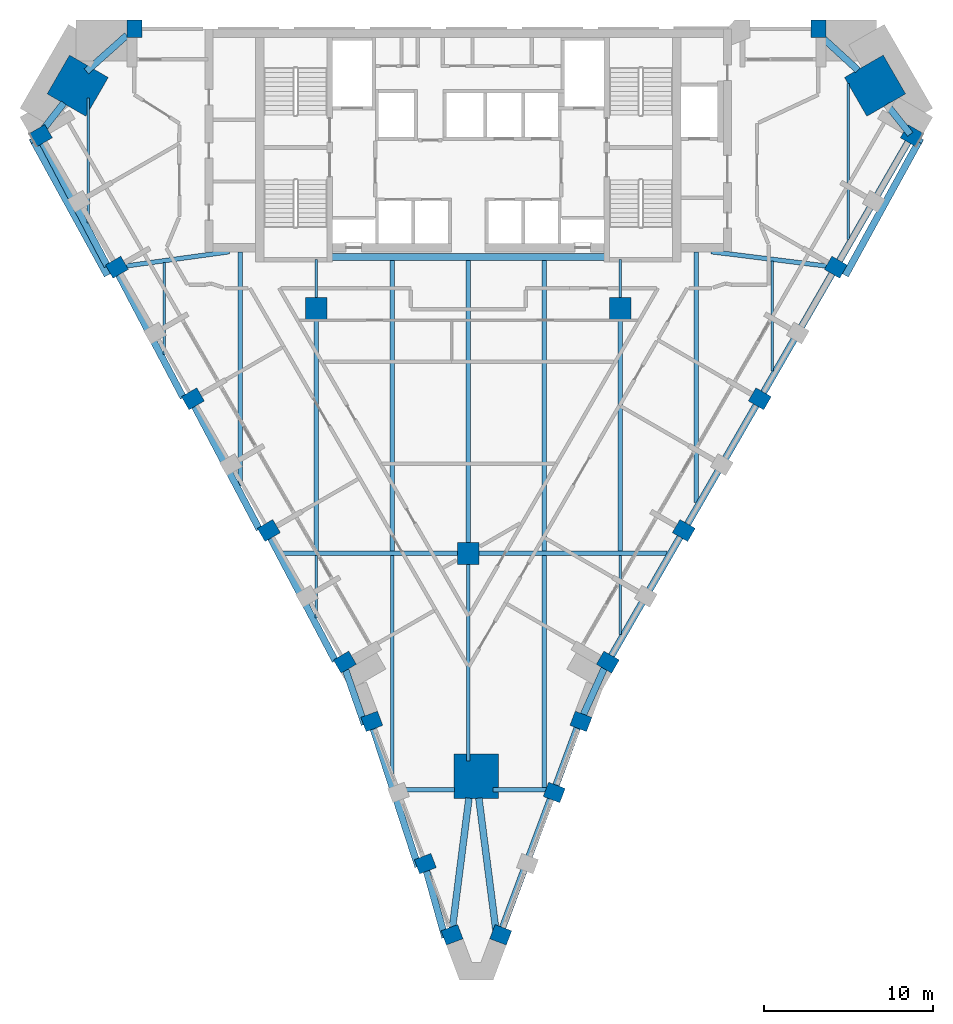
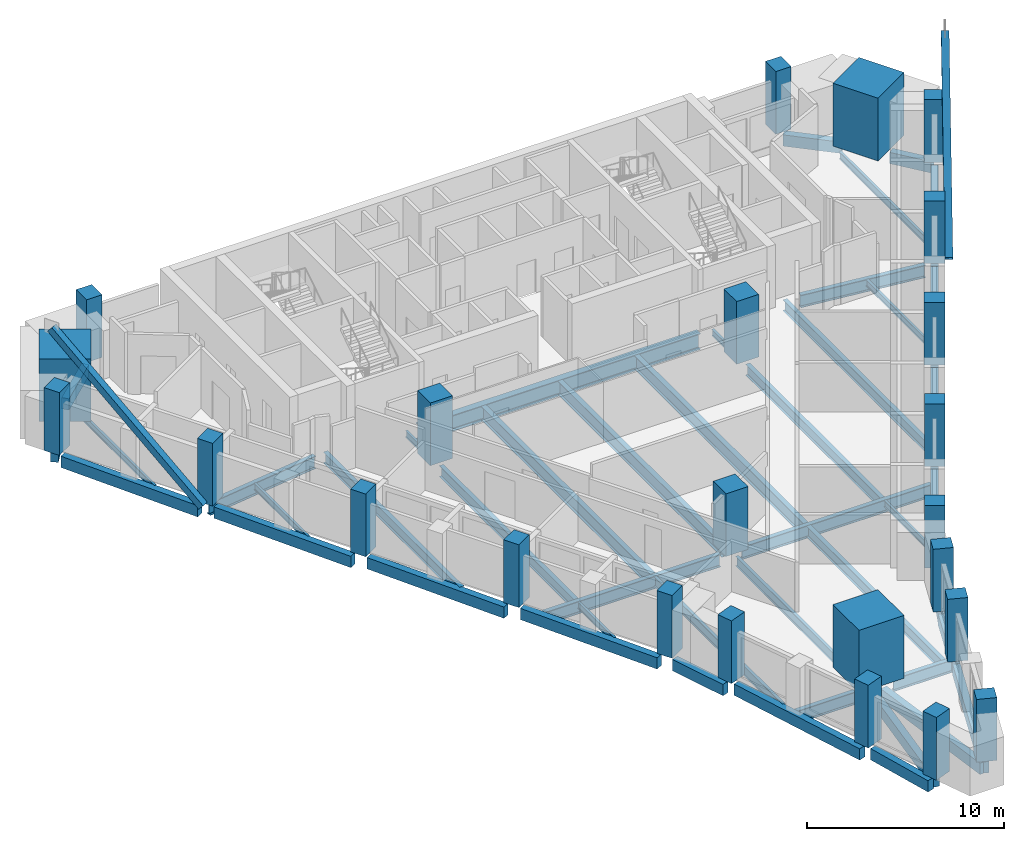
# One storey, part 1 of 9: 45 beams, 24 columns, 2 members.
"""IFC4 building model written with IfcOpenShell, lengths in metres."""

from ifc_helpers import new_model, si_unit, direction, frame, origin, origin_2d, place, context, subcontext, project, spatial, rectangle, hollow_rectangle, i_section, extrude, material, material_profile, profile_set, type_object, element, save


model = new_model("IFC4")

# Units and contexts
model_context = context("Model", 3, precision=1e-05, world=origin(), true_north=direction((0.0, 1.0)))
body_context = subcontext(model_context, "Body", "Model", "MODEL_VIEW")
ifc_project = project(units=[si_unit("LENGTHUNIT", "METRE"), si_unit("AREAUNIT", "SQUARE_METRE"), si_unit("VOLUMEUNIT", "CUBIC_METRE"), si_unit("PLANEANGLEUNIT", "RADIAN"), si_unit("MASSUNIT", "GRAM", prefix="KILO")], contexts=[model_context])

# Site, building, storey
site_placement = place(None, origin())
site = spatial("IfcSite", under=ifc_project, at=site_placement, CompositionType="ELEMENT")
building_placement = place(site_placement, origin())
building = spatial("IfcBuilding", under=site, at=building_placement, Name="Calabash Gate Tower", CompositionType="ELEMENT")
storey_placement = place(building_placement, frame((0.0, 0.0, 168.0)))
storey = spatial("IfcBuildingStorey", under=building, at=storey_placement, Name="L39", CompositionType="ELEMENT", Elevation=168.0)

# Columns
ifc_material_1 = material(Name="Concrete C70/85", Category="concrete")
ifc_material_profile_1 = material_profile(ifc_material_1, rectangle(XDim=1.300048828125, YDim=1.300048828125, at=origin_2d()))
ifc_profile_set_1 = profile_set([ifc_material_profile_1], Name="Concrete C70/85")
column_type_1 = type_object("IfcColumnType", Name="Interior column RC 1300x1300 Concrete C70/85", PredefinedType="COLUMN", material=ifc_profile_set_1)
for number, where, z_axis, x_axis, name in (
    (1, (-9.0, 2.5, 0.0), (0.0, 0.0, 1.0), (1.0, 0.0, 0.0), "Interior column L39 I0"),
    (2, (9.0, 2.5, 0.0), (0.0, 0.0, 1.0), (1.0, 0.0, 0.0), "Interior column L39 I1"),
    (3, (0.0, -12.0, 0.0), (0.0, 0.0, 1.0), (1.0, 0.0, 0.0), "Interior column L39 I2"),
):
    element("IfcColumn", number, at=place(storey_placement, frame(where, z_axis=z_axis, x_axis=x_axis)), inside=storey, type_object=column_type_1, Name=name, PredefinedType="COLUMN", context=body_context, shape_type="SweptSolid", body=[
        extrude(rectangle(XDim=1.300048828125, YDim=1.300048828125, at=origin_2d()), origin(), (0.0, 0.0, 1.0), 3.89990234375),
    ])
ifc_material_2 = material(Name="Concrete C70/85", Category="concrete")
ifc_material_profile_2 = material_profile(ifc_material_2, rectangle(XDim=2.64990234375, YDim=2.64990234375, at=origin_2d()))
ifc_profile_set_2 = profile_set([ifc_material_profile_2], Name="Concrete C70/85")
column_type_2 = type_object("IfcColumnType", Name="Mega column RC 2650x2650 Concrete C70/85", PredefinedType="COLUMN", material=ifc_profile_set_2)
for number, where, z_axis, x_axis, name in (
    (4, (-23.1259765625, 15.68896484375, 0.0), (0.0, 0.0, 1.0), (0.866025386331, -0.50000003023, 0.0), "Mega column L39 NW"),
    (5, (24.0869140625, 15.68896484375, 0.0), (0.0, 0.0, 1.0), (-0.866025386331, -0.50000003023, 0.0), "Mega column L39 NE"),
    (6, (0.47998046875, -25.197998046875, 0.0), (0.0, 0.0, 1.0), (0.0, 1.0, 0.0), "Mega column L39 S"),
):
    element("IfcColumn", number, at=place(storey_placement, frame(where, z_axis=z_axis, x_axis=x_axis)), inside=storey, type_object=column_type_2, Name=name, PredefinedType="COLUMN", context=body_context, shape_type="SweptSolid", body=[
        extrude(rectangle(XDim=2.64990234375, YDim=2.64990234375, at=origin_2d()), origin(), (0.0, 0.0, 1.0), 3.89990234375),
    ])
ifc_material_3 = material(Name="Concrete C60/75", Category="concrete")
ifc_material_profile_3 = material_profile(ifc_material_3, rectangle(XDim=0.89990234375, YDim=1.050048828125, at=origin_2d()))
ifc_profile_set_3 = profile_set([ifc_material_profile_3], Name="Concrete C60/75")
column_type_3 = type_object("IfcColumnType", Name="Perimeter column RC 900x1050 Concrete C60/75", PredefinedType="COLUMN", material=ifc_profile_set_3)
for number, where, z_axis, x_axis, name in (
    (7, (-25.303955078125, 12.73291015625, 0.0), (0.0, 0.0, 1.0), (0.5, -0.866025403784, 0.0), "Perimeter column L39 P20"),
    (8, (-20.803955078125, 4.93896484375, 0.0), (0.0, 0.0, 1.0), (0.5, -0.866025403784, 0.0), "Perimeter column L39 P00"),
    (9, (-16.303955078125, -2.85302734375, 0.0), (0.0, 0.0, 1.0), (0.5, -0.866025403784, 0.0), "Perimeter column L39 P01"),
    (10, (-11.803955078125, -10.64990234375, 0.0), (0.0, 0.0, 1.0), (0.5, -0.866025403784, 0.0), "Perimeter column L39 P02"),
    (11, (-7.303955078125, -18.444091796875, 0.0), (0.0, 0.0, 1.0), (0.5, -0.866025403784, 0.0), "Perimeter column L39 P03"),
    (12, (-5.7119140625, -21.951904296875, 0.0), (0.0, 0.0, 1.0), (0.351822468316, -0.936066744836, 0.0), "Perimeter column L39 P25"),
    (13, (-2.54296875, -30.3759765625, 0.0), (0.0, 0.0, 1.0), (0.351822468316, -0.936066744836, 0.0), "Perimeter column L39 P26"),
    (14, (-0.9619140625, -34.589111328125, 0.0), (0.0, 0.0, 1.0), (0.351822468316, -0.936066744836, 0.0), "Perimeter column L39 P27"),
    (15, (1.9208984375, -34.589111328125, 0.0), (0.0, 0.0, 1.0), (0.351822517328, 0.936066726415, 0.0), "Perimeter column L39 P28"),
    (16, (5.087890625, -26.1640625, 0.0), (0.0, 0.0, 1.0), (0.351822517328, 0.936066726415, 0.0), "Perimeter column L39 P08"),
    (17, (6.6708984375, -21.951904296875, 0.0), (0.0, 0.0, 1.0), (0.351822517328, 0.936066726415, 0.0), "Perimeter column L39 P29"),
    (18, (8.262939453125, -18.444091796875, 0.0), (0.0, 0.0, 1.0), (0.499999984885, 0.866025412511, 0.0), "Perimeter column L39 P09"),
    (19, (12.762939453125, -10.64990234375, 0.0), (0.0, 0.0, 1.0), (0.499999984885, 0.866025412511, 0.0), "Perimeter column L39 P10"),
    (20, (17.262939453125, -2.85302734375, 0.0), (0.0, 0.0, 1.0), (0.499999984885, 0.866025412511, 0.0), "Perimeter column L39 P11"),
    (21, (21.762939453125, 4.93896484375, 0.0), (0.0, 0.0, 1.0), (0.499999984885, 0.866025412511, 0.0), "Perimeter column L39 P12"),
    (22, (26.262939453125, 12.73291015625, 0.0), (0.0, 0.0, 1.0), (0.499999984885, 0.866025412511, 0.0), "Perimeter column L39 P13"),
    (23, (20.72998046875, 19.052978515625, 0.0), (0.0, 0.0, 1.0), (-1.0, 0.0, 0.0), "Perimeter column L39 P24"),
    (24, (-19.77001953125, 19.052978515625, 0.0), (0.0, 0.0, 1.0), (-1.0, 0.0, 0.0), "Perimeter column L39 P17"),
):
    element("IfcColumn", number, at=place(storey_placement, frame(where, z_axis=z_axis, x_axis=x_axis)), inside=storey, type_object=column_type_3, Name=name, PredefinedType="COLUMN", context=body_context, shape_type="SweptSolid", body=[
        extrude(rectangle(XDim=0.89990234375, YDim=1.050048828125, at=origin_2d()), origin(), (0.0, 0.0, 1.0), 3.89990234375),
    ])

# Beams
ifc_material_4 = material(Name="Concrete C50/60", Category="concrete")
ifc_material_profile_4 = material_profile(ifc_material_4, rectangle(XDim=0.39990234375, YDim=0.699951171875, at=origin_2d()))
ifc_profile_set_4 = profile_set([ifc_material_profile_4], Name="Concrete C50/60")
beam_type_1 = type_object("IfcBeamType", Name="Edge beam RC 400x700 Concrete C50/60", PredefinedType="BEAM", material=ifc_profile_set_4)
beam_1_placement = place(storey_placement, frame((-16.208984375, -3.2890625, -0.52001953125), z_axis=(0.465675564473, -0.884955517895, 0.0), x_axis=(0.884955517895, 0.465675564473, 0.0)))
element("IfcBeam", 25, at=beam_1_placement, inside=storey, type_object=beam_type_1, Name="Edge beam L39 1", PredefinedType="BEAM", context=body_context, shape_type="SweptSolid", body=[
    extrude(rectangle(XDim=0.39990234375, YDim=0.699951171875, at=origin_2d()), origin(), (0.0, 0.0, 1.0), 8.2353515625),
])
beam_2_placement = place(storey_placement, frame((-11.708984375, -11.0830078125, -0.52001953125), z_axis=(0.465663347669, -0.884961946435, 0.0), x_axis=(0.884961946435, 0.465663347669, 0.0)))
element("IfcBeam", 26, at=beam_2_placement, inside=storey, type_object=beam_type_1, Name="Edge beam L39 2", PredefinedType="BEAM", context=body_context, shape_type="SweptSolid", body=[
    extrude(rectangle(XDim=0.39990234375, YDim=0.699951171875, at=origin_2d()), origin(), (0.0, 0.0, 1.0), 8.235595703125),
])
beam_3_placement = place(storey_placement, frame((-7.261962890625, -18.909912109375, -0.52001953125), z_axis=(0.328245355314, -0.944592497702, 0.0), x_axis=(0.944592497702, 0.328245355314, 0.0)))
element("IfcBeam", 27, at=beam_3_placement, inside=storey, type_object=beam_type_1, Name="Edge beam L39 3", PredefinedType="BEAM", context=body_context, shape_type="SweptSolid", body=[
    extrude(rectangle(XDim=0.39990234375, YDim=0.699951171875, at=origin_2d()), origin(), (0.0, 0.0, 1.0), 3.40576171875),
])
beam_4_placement = place(storey_placement, frame((-5.62890625, -22.3720703125, -0.52001953125), z_axis=(0.309131657382, -0.951019252384, 0.0), x_axis=(0.951019252384, 0.309131657382, 0.0)))
element("IfcBeam", 28, at=beam_4_placement, inside=storey, type_object=beam_type_1, Name="Edge beam L39 4", PredefinedType="BEAM", context=body_context, shape_type="SweptSolid", body=[
    extrude(rectangle(XDim=0.39990234375, YDim=0.699951171875, at=origin_2d()), origin(), (0.0, 0.0, 1.0), 8.59814453125),
])
beam_5_placement = place(storey_placement, frame((-2.47412109375, -30.81298828125, -0.52001953125), z_axis=(0.269059658347, -0.963123512459, 0.0), x_axis=(0.963123512459, 0.269059658347, 0.0)))
element("IfcBeam", 29, at=beam_5_placement, inside=storey, type_object=beam_type_1, Name="Edge beam L39 5", PredefinedType="BEAM", context=body_context, shape_type="SweptSolid", body=[
    extrude(rectangle(XDim=0.39990234375, YDim=0.699951171875, at=origin_2d()), origin(), (0.0, 0.0, 1.0), 4.081298828125),
])
beam_6_placement = place(storey_placement, frame((-0.990966796875, -34.60205078125, -0.52001953125), z_axis=(0.126376125959, 0.99198239641, 0.0), x_axis=(-0.99198239641, 0.126376125959, 0.0)))
element("IfcBeam", 30, at=beam_6_placement, inside=storey, type_object=beam_type_1, Name="Edge beam L39 6", PredefinedType="BEAM", context=body_context, shape_type="SweptSolid", body=[
    extrude(rectangle(XDim=0.39990234375, YDim=0.699951171875, at=origin_2d()), origin(), (0.0, 0.0, 1.0), 8.173583984375),
])
beam_7_placement = place(storey_placement, frame((0.626953125, -26.492919921875, -0.52001953125), z_axis=(0.127868304921, -0.991791155736, 0.0), x_axis=(0.991791155736, 0.127868304921, 0.0)))
element("IfcBeam", 31, at=beam_7_placement, inside=storey, type_object=beam_type_1, Name="Edge beam L39 7", PredefinedType="BEAM", context=body_context, shape_type="SweptSolid", body=[
    extrude(rectangle(XDim=0.39990234375, YDim=0.699951171875, at=origin_2d()), origin(), (0.0, 0.0, 1.0), 8.345703125),
])
beam_8_placement = place(storey_placement, frame((1.7939453125, -34.799072265625, -0.52001953125), z_axis=(0.349546583338, 0.936918985866, 0.0), x_axis=(-0.936918985866, 0.349546583338, 0.0)))
element("IfcBeam", 32, at=beam_8_placement, inside=storey, type_object=beam_type_1, Name="Edge beam L39 8", PredefinedType="BEAM", context=body_context, shape_type="SweptSolid", body=[
    extrude(rectangle(XDim=0.39990234375, YDim=0.699951171875, at=origin_2d()), origin(), (0.0, 0.0, 1.0), 8.808837890625),
])
beam_9_placement = place(storey_placement, frame((4.9609375, -26.373046875, -0.52001953125), z_axis=(0.34714449754, 0.937811653707, 0.0), x_axis=(-0.937811653707, 0.34714449754, 0.0)))
element("IfcBeam", 33, at=beam_9_placement, inside=storey, type_object=beam_type_1, Name="Edge beam L39 9", PredefinedType="BEAM", context=body_context, shape_type="SweptSolid", body=[
    extrude(rectangle(XDim=0.39990234375, YDim=0.699951171875, at=origin_2d()), origin(), (0.0, 0.0, 1.0), 4.306884765625),
])
beam_10_placement = place(storey_placement, frame((6.5419921875, -22.1708984375, -0.52001953125), z_axis=(0.410262361103, 0.911967540575, 0.0), x_axis=(-0.911967540575, 0.410262361103, 0.0)))
element("IfcBeam", 34, at=beam_10_placement, inside=storey, type_object=beam_type_1, Name="Edge beam L39 10", PredefinedType="BEAM", context=body_context, shape_type="SweptSolid", body=[
    extrude(rectangle(XDim=0.39990234375, YDim=0.699951171875, at=origin_2d()), origin(), (0.0, 0.0, 1.0), 3.671142578125),
])
beam_11_placement = place(storey_placement, frame((8.27197265625, -18.427978515625, -0.52001953125), z_axis=(0.500197168152, 0.865911538768, 0.0), x_axis=(-0.865911538768, 0.500197168152, 0.0)))
element("IfcBeam", 35, at=beam_11_placement, inside=storey, type_object=beam_type_1, Name="Edge beam L39 11", PredefinedType="BEAM", context=body_context, shape_type="SweptSolid", body=[
    extrude(rectangle(XDim=0.39990234375, YDim=0.699951171875, at=origin_2d()), origin(), (0.0, 0.0, 1.0), 8.546875),
])
for number, where, z_axis, x_axis, name in (
    (36, (12.77197265625, -10.634033203125, -0.52001953125), (0.500135313796, 0.865947266232, 0.0), (-0.865947266232, 0.500135313796, 0.0), "Edge beam L39 12"),
    (37, (17.27197265625, -2.840087890625, -0.52001953125), (0.500135313796, 0.865947266232, 0.0), (-0.865947266232, 0.500135313796, 0.0), "Edge beam L39 13"),
):
    element("IfcBeam", number, at=place(storey_placement, frame(where, z_axis=z_axis, x_axis=x_axis)), inside=storey, type_object=beam_type_1, Name=name, PredefinedType="BEAM", context=body_context, shape_type="SweptSolid", body=[
        extrude(rectangle(XDim=0.39990234375, YDim=0.699951171875, at=origin_2d()), origin(), (0.0, 0.0, 1.0), 8.548095703125),
    ])
beam_12_placement = place(storey_placement, frame((21.77197265625, 4.95703125, -0.52001953125), z_axis=(0.50029616164, 0.865854347248, 0.0), x_axis=(-0.865854347248, 0.50029616164, 0.0)))
element("IfcBeam", 38, at=beam_12_placement, inside=storey, type_object=beam_type_1, Name="Edge beam L39 14", PredefinedType="BEAM", context=body_context, shape_type="SweptSolid", body=[
    extrude(rectangle(XDim=0.39990234375, YDim=0.699951171875, at=origin_2d()), origin(), (0.0, 0.0, 1.0), 8.545166015625),
])
beam_13_placement = place(storey_placement, frame((26.176025390625, 12.81103515625, -0.52001953125), z_axis=(-0.620961056093, 0.78384141688, 0.0), x_axis=(-0.78384141688, -0.620961056093, 0.0)))
element("IfcBeam", 39, at=beam_13_placement, inside=storey, type_object=beam_type_1, Name="Edge beam L39 15", PredefinedType="BEAM", context=body_context, shape_type="SweptSolid", body=[
    extrude(rectangle(XDim=0.39990234375, YDim=0.699951171875, at=origin_2d()), origin(), (0.0, 0.0, 1.0), 2.2529296875),
])
beam_14_placement = place(storey_placement, frame((23.073974609375, 16.60595703125, -0.52001953125), z_axis=(-0.737193931514, 0.675681217246, 0.0), x_axis=(-0.675681217246, -0.737193931514, 0.0)))
element("IfcBeam", 40, at=beam_14_placement, inside=storey, type_object=beam_type_1, Name="Edge beam L39 16", PredefinedType="BEAM", context=body_context, shape_type="SweptSolid", body=[
    extrude(rectangle(XDim=0.39990234375, YDim=0.699951171875, at=origin_2d()), origin(), (0.0, 0.0, 1.0), 3.05615234375),
])
beam_15_placement = place(storey_placement, frame((-20.2109375, 18.677001953125, -0.52001953125), z_axis=(-0.746361655532, -0.665540591664, 0.0), x_axis=(0.665540591664, -0.746361655532, 0.0)))
element("IfcBeam", 41, at=beam_15_placement, inside=storey, type_object=beam_type_1, Name="Edge beam L39 17", PredefinedType="BEAM", context=body_context, shape_type="SweptSolid", body=[
    extrude(rectangle(XDim=0.39990234375, YDim=0.699951171875, at=origin_2d()), origin(), (0.0, 0.0, 1.0), 3.217041015625),
])
beam_16_placement = place(storey_placement, frame((-23.947021484375, 14.6689453125, -0.52001953125), z_axis=(-0.615372333956, -0.788236570201, 0.0), x_axis=(0.788236570201, -0.615372333956, 0.0)))
element("IfcBeam", 42, at=beam_16_placement, inside=storey, type_object=beam_type_1, Name="Edge beam L39 18", PredefinedType="BEAM", context=body_context, shape_type="SweptSolid", body=[
    extrude(rectangle(XDim=0.39990234375, YDim=0.699951171875, at=origin_2d()), origin(), (0.0, 0.0, 1.0), 2.406494140625),
])
beam_17_placement = place(storey_placement, frame((-25.208984375, 12.299072265625, -0.52001953125), z_axis=(0.465663347669, -0.884961946435, 0.0), x_axis=(0.884961946435, 0.465663347669, 0.0)))
element("IfcBeam", 43, at=beam_17_placement, inside=storey, type_object=beam_type_1, Name="Edge beam L39 19", PredefinedType="BEAM", context=body_context, shape_type="SweptSolid", body=[
    extrude(rectangle(XDim=0.39990234375, YDim=0.699951171875, at=origin_2d()), origin(), (0.0, 0.0, 1.0), 8.235595703125),
])
beam_18_placement = place(storey_placement, frame((-20.708984375, 4.507080078125, -0.52001953125), z_axis=(0.465565633109, -0.885013356547, 0.0), x_axis=(0.885013356547, 0.465565633109, 0.0)))
element("IfcBeam", 44, at=beam_18_placement, inside=storey, type_object=beam_type_1, Name="Edge beam L39 20", PredefinedType="BEAM", context=body_context, shape_type="SweptSolid", body=[
    extrude(rectangle(XDim=0.39990234375, YDim=0.699951171875, at=origin_2d()), origin(), (0.0, 0.0, 1.0), 8.2373046875),
])
ifc_material_5 = material(Name="Steel ASTM A992 Gr50", Category="steel")
ifc_material_profile_5 = material_profile(ifc_material_5, i_section(OverallWidth=0.1396484375, OverallDepth=0.398681640625, WebThickness=0.00634765625, FlangeThickness=0.0087890625, FilletRadius=0.01025390625, at=origin_2d()))
ifc_profile_set_5 = profile_set([ifc_material_profile_5], Name="Steel ASTM A992 Gr50")
beam_type_2 = type_object("IfcBeamType", Name="Floor beam W16x26 ASTM A992 Gr50", PredefinedType="BEAM", material=ifc_profile_set_5)
beam_19_placement = place(storey_placement, frame((-22.5, 7.56689453125, -0.368896484375), z_axis=(0.0, 1.0, 0.0), x_axis=(-1.0, 0.0, 0.0)))
element("IfcBeam", 45, at=beam_19_placement, inside=storey, type_object=beam_type_2, Name="Floor beam L39 1", PredefinedType="BEAM", context=body_context, shape_type="SweptSolid", body=[
    extrude(i_section(OverallWidth=0.1396484375, OverallDepth=0.398681640625, WebThickness=0.00634765625, FlangeThickness=0.0087890625, FilletRadius=0.01025390625, at=origin_2d()), origin(), (0.0, 0.0, 1.0), 7.39013671875),
])
beam_20_placement = place(storey_placement, frame((-18.0, -0.22900390625, -0.368896484375), z_axis=(0.0, 1.0, 0.0), x_axis=(-1.0, 0.0, 0.0)))
element("IfcBeam", 46, at=beam_20_placement, inside=storey, type_object=beam_type_2, Name="Floor beam L39 2", PredefinedType="BEAM", context=body_context, shape_type="SweptSolid", body=[
    extrude(i_section(OverallWidth=0.1396484375, OverallDepth=0.398681640625, WebThickness=0.00634765625, FlangeThickness=0.0087890625, FilletRadius=0.01025390625, at=origin_2d()), origin(), (0.0, 0.0, 1.0), 5.44189453125),
])
beam_21_placement = place(storey_placement, frame((-9.0, -15.818115234375, -0.368896484375), z_axis=(0.0, 1.0, 0.0), x_axis=(-1.0, 0.0, 0.0)))
element("IfcBeam", 47, at=beam_21_placement, inside=storey, type_object=beam_type_2, Name="Floor beam L39 4", PredefinedType="BEAM", context=body_context, shape_type="SweptSolid", body=[
    extrude(i_section(OverallWidth=0.1396484375, OverallDepth=0.398681640625, WebThickness=0.00634765625, FlangeThickness=0.0087890625, FilletRadius=0.01025390625, at=origin_2d()), origin(), (0.0, 0.0, 1.0), 3.68505859375),
])
beam_22_placement = place(storey_placement, frame((-9.0, 3.14990234375, -0.368896484375), z_axis=(0.0, 1.0, 0.0), x_axis=(-1.0, 0.0, 0.0)))
element("IfcBeam", 48, at=beam_22_placement, inside=storey, type_object=beam_type_2, Name="Floor beam L39 6", PredefinedType="BEAM", context=body_context, shape_type="SweptSolid", body=[
    extrude(i_section(OverallWidth=0.1396484375, OverallDepth=0.398681640625, WebThickness=0.00634765625, FlangeThickness=0.0087890625, FilletRadius=0.01025390625, at=origin_2d()), origin(), (0.0, 0.0, 1.0), 2.253173828125),
])
beam_23_placement = place(storey_placement, frame((9.0, -16.799072265625, -0.368896484375), z_axis=(0.0, 1.0, 0.0), x_axis=(-1.0, 0.0, 0.0)))
element("IfcBeam", 49, at=beam_23_placement, inside=storey, type_object=beam_type_2, Name="Floor beam L39 13", PredefinedType="BEAM", context=body_context, shape_type="SweptSolid", body=[
    extrude(i_section(OverallWidth=0.1396484375, OverallDepth=0.398681640625, WebThickness=0.00634765625, FlangeThickness=0.0087890625, FilletRadius=0.01025390625, at=origin_2d()), origin(), (0.0, 0.0, 1.0), 4.666015625),
])
beam_24_placement = place(storey_placement, frame((9.0, 3.14990234375, -0.368896484375), z_axis=(0.0, 1.0, 0.0), x_axis=(-1.0, 0.0, 0.0)))
element("IfcBeam", 50, at=beam_24_placement, inside=storey, type_object=beam_type_2, Name="Floor beam L39 15", PredefinedType="BEAM", context=body_context, shape_type="SweptSolid", body=[
    extrude(i_section(OverallWidth=0.1396484375, OverallDepth=0.398681640625, WebThickness=0.00634765625, FlangeThickness=0.0087890625, FilletRadius=0.01025390625, at=origin_2d()), origin(), (0.0, 0.0, 1.0), 2.253173828125),
])
beam_25_placement = place(storey_placement, frame((18.0, -1.2109375, -0.368896484375), z_axis=(0.0, 1.0, 0.0), x_axis=(-1.0, 0.0, 0.0)))
element("IfcBeam", 51, at=beam_25_placement, inside=storey, type_object=beam_type_2, Name="Floor beam L39 17", PredefinedType="BEAM", context=body_context, shape_type="SweptSolid", body=[
    extrude(i_section(OverallWidth=0.1396484375, OverallDepth=0.398681640625, WebThickness=0.00634765625, FlangeThickness=0.0087890625, FilletRadius=0.01025390625, at=origin_2d()), origin(), (0.0, 0.0, 1.0), 6.5048828125),
])
ifc_material_6 = material(Name="Steel ASTM A992 Gr50", Category="steel")
ifc_material_profile_6 = material_profile(ifc_material_6, i_section(OverallWidth=0.15234375, OverallDepth=0.44970703125, WebThickness=0.007568359375, FlangeThickness=0.0107421875, FilletRadius=0.01025390625, at=origin_2d()))
ifc_profile_set_6 = profile_set([ifc_material_profile_6], Name="Steel ASTM A992 Gr50")
beam_type_3 = type_object("IfcBeamType", Name="Floor beam W18x35 ASTM A992 Gr50", PredefinedType="BEAM", material=ifc_profile_set_6)
beam_26_placement = place(storey_placement, frame((22.5, 6.5830078125, -0.39306640625), z_axis=(0.0, 1.0, 0.0), x_axis=(-1.0, 0.0, 0.0)))
element("IfcBeam", 52, at=beam_26_placement, inside=storey, type_object=beam_type_3, Name="Floor beam L39 18", PredefinedType="BEAM", context=body_context, shape_type="SweptSolid", body=[
    extrude(i_section(OverallWidth=0.15234375, OverallDepth=0.44970703125, WebThickness=0.007568359375, FlangeThickness=0.0107421875, FilletRadius=0.01025390625, at=origin_2d()), origin(), (0.0, 0.0, 1.0), 9.22900390625),
])
ifc_material_7 = material(Name="Steel ASTM A992 Gr50", Category="steel")
ifc_material_profile_7 = material_profile(ifc_material_7, i_section(OverallWidth=0.1787109375, OverallDepth=0.60205078125, WebThickness=0.010986328125, FlangeThickness=0.014892578125, FilletRadius=0.0126953125, at=origin_2d()))
ifc_profile_set_7 = profile_set([ifc_material_profile_7], Name="Steel ASTM A992 Gr50")
beam_type_4 = type_object("IfcBeamType", Name="Floor beam W24x62 ASTM A992 Gr50", PredefinedType="BEAM", material=ifc_profile_set_7)
beam_27_placement = place(storey_placement, frame((-4.5, -25.2109375, -0.470947265625), z_axis=(0.0, 1.0, 0.0), x_axis=(-1.0, 0.0, 0.0)))
element("IfcBeam", 53, at=beam_27_placement, inside=storey, type_object=beam_type_4, Name="Floor beam L39 7", PredefinedType="BEAM", context=body_context, shape_type="SweptSolid", body=[
    extrude(i_section(OverallWidth=0.1787109375, OverallDepth=0.60205078125, WebThickness=0.010986328125, FlangeThickness=0.014892578125, FilletRadius=0.0126953125, at=origin_2d()), origin(), (0.0, 0.0, 1.0), 13.077880859375),
])
beam_28_placement = place(storey_placement, frame((0.0, -24.302978515625, -0.470947265625), z_axis=(0.0, 1.0, 0.0), x_axis=(-1.0, 0.0, 0.0)))
element("IfcBeam", 54, at=beam_28_placement, inside=storey, type_object=beam_type_4, Name="Floor beam L39 9", PredefinedType="BEAM", context=body_context, shape_type="SweptSolid", body=[
    extrude(i_section(OverallWidth=0.1787109375, OverallDepth=0.60205078125, WebThickness=0.010986328125, FlangeThickness=0.014892578125, FilletRadius=0.0126953125, at=origin_2d()), origin(), (0.0, 0.0, 1.0), 11.653076171875),
])
ifc_material_8 = material(Name="Steel ASTM A992 Gr50", Category="steel")
ifc_material_profile_8 = material_profile(ifc_material_8, i_section(OverallWidth=0.25390625, OverallDepth=0.67822265625, WebThickness=0.01171875, FlangeThickness=0.016357421875, FilletRadius=0.01513671875, at=origin_2d()))
ifc_profile_set_8 = profile_set([ifc_material_profile_8], Name="Steel ASTM A992 Gr50")
beam_type_5 = type_object("IfcBeamType", Name="Floor beam W27x84 ASTM A992 Gr50", PredefinedType="BEAM", material=ifc_profile_set_8)
beam_29_placement = place(storey_placement, frame((-13.5, -8.02294921875, -0.509033203125), z_axis=(0.0, 1.0, 0.0), x_axis=(-1.0, 0.0, 0.0)))
element("IfcBeam", 55, at=beam_29_placement, inside=storey, type_object=beam_type_5, Name="Floor beam L39 3", PredefinedType="BEAM", context=body_context, shape_type="SweptSolid", body=[
    extrude(i_section(OverallWidth=0.25390625, OverallDepth=0.67822265625, WebThickness=0.01171875, FlangeThickness=0.016357421875, FilletRadius=0.01513671875, at=origin_2d()), origin(), (0.0, 0.0, 1.0), 13.8759765625),
])
beam_30_placement = place(storey_placement, frame((-9.0, -11.866943359375, -0.509033203125), z_axis=(0.0, 1.0, 0.0), x_axis=(-1.0, 0.0, 0.0)))
element("IfcBeam", 56, at=beam_30_placement, inside=storey, type_object=beam_type_5, Name="Floor beam L39 5", PredefinedType="BEAM", context=body_context, shape_type="SweptSolid", body=[
    extrude(i_section(OverallWidth=0.25390625, OverallDepth=0.67822265625, WebThickness=0.01171875, FlangeThickness=0.016357421875, FilletRadius=0.01513671875, at=origin_2d()), origin(), (0.0, 0.0, 1.0), 13.717041015625),
])
beam_31_placement = place(storey_placement, frame((4.5, -25.89892578125, -0.509033203125), z_axis=(0.0, 1.0, 0.0), x_axis=(-1.0, 0.0, 0.0)))
element("IfcBeam", 57, at=beam_31_placement, inside=storey, type_object=beam_type_5, Name="Floor beam L39 11", PredefinedType="BEAM", context=body_context, shape_type="SweptSolid", body=[
    extrude(i_section(OverallWidth=0.25390625, OverallDepth=0.67822265625, WebThickness=0.01171875, FlangeThickness=0.016357421875, FilletRadius=0.01513671875, at=origin_2d()), origin(), (0.0, 0.0, 1.0), 13.765869140625),
])
beam_32_placement = place(storey_placement, frame((9.0, -11.866943359375, -0.509033203125), z_axis=(0.0, 1.0, 0.0), x_axis=(-1.0, 0.0, 0.0)))
element("IfcBeam", 58, at=beam_32_placement, inside=storey, type_object=beam_type_5, Name="Floor beam L39 14", PredefinedType="BEAM", context=body_context, shape_type="SweptSolid", body=[
    extrude(i_section(OverallWidth=0.25390625, OverallDepth=0.67822265625, WebThickness=0.01171875, FlangeThickness=0.016357421875, FilletRadius=0.01513671875, at=origin_2d()), origin(), (0.0, 0.0, 1.0), 13.717041015625),
])
beam_33_placement = place(storey_placement, frame((13.5, -9.0029296875, -0.509033203125), z_axis=(0.0, 1.0, 0.0), x_axis=(-1.0, 0.0, 0.0)))
element("IfcBeam", 59, at=beam_33_placement, inside=storey, type_object=beam_type_5, Name="Floor beam L39 16", PredefinedType="BEAM", context=body_context, shape_type="SweptSolid", body=[
    extrude(i_section(OverallWidth=0.25390625, OverallDepth=0.67822265625, WebThickness=0.01171875, FlangeThickness=0.016357421875, FilletRadius=0.01513671875, at=origin_2d()), origin(), (0.0, 0.0, 1.0), 14.85595703125),
])
ifc_material_9 = material(Name="Steel ASTM A992 Gr50", Category="steel")
ifc_material_profile_9 = material_profile(ifc_material_9, i_section(OverallWidth=0.2919921875, OverallDepth=0.845703125, WebThickness=0.015380859375, FlangeThickness=0.0244140625, FilletRadius=0.017822265625, at=origin_2d()))
ifc_profile_set_9 = profile_set([ifc_material_profile_9], Name="Steel ASTM A992 Gr50")
beam_type_6 = type_object("IfcBeamType", Name="Floor beam W33x141 ASTM A992 Gr50", PredefinedType="BEAM", material=ifc_profile_set_9)
beam_34_placement = place(storey_placement, frame((-4.5, -11.866943359375, -0.593017578125), z_axis=(0.0, 1.0, 0.0), x_axis=(-1.0, 0.0, 0.0)))
element("IfcBeam", 60, at=beam_34_placement, inside=storey, type_object=beam_type_6, Name="Floor beam L39 8", PredefinedType="BEAM", context=body_context, shape_type="SweptSolid", body=[
    extrude(i_section(OverallWidth=0.2919921875, OverallDepth=0.845703125, WebThickness=0.015380859375, FlangeThickness=0.0244140625, FilletRadius=0.017822265625, at=origin_2d()), origin(), (0.0, 0.0, 1.0), 17.218994140625),
])
beam_35_placement = place(storey_placement, frame((0.0, -11.35009765625, -0.593017578125), z_axis=(0.0, 1.0, 0.0), x_axis=(-1.0, 0.0, 0.0)))
element("IfcBeam", 61, at=beam_35_placement, inside=storey, type_object=beam_type_6, Name="Floor beam L39 10", PredefinedType="BEAM", context=body_context, shape_type="SweptSolid", body=[
    extrude(i_section(OverallWidth=0.2919921875, OverallDepth=0.845703125, WebThickness=0.015380859375, FlangeThickness=0.0244140625, FilletRadius=0.017822265625, at=origin_2d()), origin(), (0.0, 0.0, 1.0), 16.7021484375),
])
beam_36_placement = place(storey_placement, frame((4.5, -11.866943359375, -0.593017578125), z_axis=(0.0, 1.0, 0.0), x_axis=(-1.0, 0.0, 0.0)))
element("IfcBeam", 62, at=beam_36_placement, inside=storey, type_object=beam_type_6, Name="Floor beam L39 12", PredefinedType="BEAM", context=body_context, shape_type="SweptSolid", body=[
    extrude(i_section(OverallWidth=0.2919921875, OverallDepth=0.845703125, WebThickness=0.015380859375, FlangeThickness=0.0244140625, FilletRadius=0.017822265625, at=origin_2d()), origin(), (0.0, 0.0, 1.0), 17.218994140625),
])
ifc_material_10 = material(Name="Steel ASTM A992 Gr50", Category="steel")
ifc_material_profile_10 = material_profile(ifc_material_10, i_section(OverallWidth=0.2666015625, OverallDepth=0.77978515625, WebThickness=0.0166015625, FlangeThickness=0.030029296875, FilletRadius=0.0166015625, at=origin_2d()))
ifc_profile_set_10 = profile_set([ifc_material_profile_10], Name="Steel ASTM A992 Gr50")
beam_type_7 = type_object("IfcBeamType", Name="Girder W30x148 ASTM A992 Gr50", PredefinedType="BEAM", material=ifc_profile_set_10)
beam_37_placement = place(storey_placement, frame((-20.887939453125, 4.927001953125, -0.56005859375), z_axis=(0.990618279265, 0.136658057886, 0.0), x_axis=(-0.136658057886, 0.990618279265, 0.0)))
element("IfcBeam", 63, at=beam_37_placement, inside=storey, type_object=beam_type_7, Name="Girder L39 2", PredefinedType="BEAM", context=body_context, shape_type="SweptSolid", body=[
    extrude(i_section(OverallWidth=0.2666015625, OverallDepth=0.77978515625, WebThickness=0.0166015625, FlangeThickness=0.030029296875, FilletRadius=0.0166015625, at=origin_2d()), origin(), (0.0, 0.0, 1.0), 6.797607421875),
])
beam_38_placement = place(storey_placement, frame((21.218994140625, 5.007080078125, -0.56005859375), z_axis=(-0.992362690963, 0.123354325355, 0.0), x_axis=(-0.123354325355, -0.992362690963, 0.0)))
element("IfcBeam", 64, at=beam_38_placement, inside=storey, type_object=beam_type_7, Name="Girder L39 3", PredefinedType="BEAM", context=body_context, shape_type="SweptSolid", body=[
    extrude(i_section(OverallWidth=0.2666015625, OverallDepth=0.77978515625, WebThickness=0.0166015625, FlangeThickness=0.030029296875, FilletRadius=0.0166015625, at=origin_2d()), origin(), (0.0, 0.0, 1.0), 6.8896484375),
])
beam_39_placement = place(storey_placement, frame((-11.013916015625, -12.0, -0.56005859375), z_axis=(1.0, 0.0, 0.0), x_axis=(0.0, 1.0, 0.0)))
element("IfcBeam", 65, at=beam_39_placement, inside=storey, type_object=beam_type_7, Name="Girder L39 4", PredefinedType="BEAM", context=body_context, shape_type="SweptSolid", body=[
    extrude(i_section(OverallWidth=0.2666015625, OverallDepth=0.77978515625, WebThickness=0.0166015625, FlangeThickness=0.030029296875, FilletRadius=0.0166015625, at=origin_2d()), origin(), (0.0, 0.0, 1.0), 10.364013671875),
])
beam_40_placement = place(storey_placement, frame((0.64990234375, -12.0, -0.56005859375), z_axis=(1.0, 0.0, 0.0), x_axis=(0.0, 1.0, 0.0)))
element("IfcBeam", 66, at=beam_40_placement, inside=storey, type_object=beam_type_7, Name="Girder L39 5", PredefinedType="BEAM", context=body_context, shape_type="SweptSolid", body=[
    extrude(i_section(OverallWidth=0.2666015625, OverallDepth=0.77978515625, WebThickness=0.0166015625, FlangeThickness=0.030029296875, FilletRadius=0.0166015625, at=origin_2d()), origin(), (0.0, 0.0, 1.0), 11.123046875),
])
beam_41_placement = place(storey_placement, frame((-4.2529296875, -26.0, -0.56005859375), z_axis=(1.0, 0.0, 0.0), x_axis=(0.0, 1.0, 0.0)))
element("IfcBeam", 67, at=beam_41_placement, inside=storey, type_object=beam_type_7, Name="Girder L39 6", PredefinedType="BEAM", context=body_context, shape_type="SweptSolid", body=[
    extrude(i_section(OverallWidth=0.2666015625, OverallDepth=0.77978515625, WebThickness=0.0166015625, FlangeThickness=0.030029296875, FilletRadius=0.0166015625, at=origin_2d()), origin(), (0.0, 0.0, 1.0), 3.431884765625),
])
beam_42_placement = place(storey_placement, frame((1.472900390625, -26.0, -0.56005859375), z_axis=(1.0, 0.0, 0.0), x_axis=(0.0, 1.0, 0.0)))
element("IfcBeam", 68, at=beam_42_placement, inside=storey, type_object=beam_type_7, Name="Girder L39 7", PredefinedType="BEAM", context=body_context, shape_type="SweptSolid", body=[
    extrude(i_section(OverallWidth=0.2666015625, OverallDepth=0.77978515625, WebThickness=0.0166015625, FlangeThickness=0.030029296875, FilletRadius=0.0166015625, at=origin_2d()), origin(), (0.0, 0.0, 1.0), 3.42919921875),
])
ifc_material_11 = material(Name="Steel ASTM A992 Gr50", Category="steel")
ifc_material_profile_11 = material_profile(ifc_material_11, i_section(OverallWidth=0.4013671875, OverallDepth=1.000732421875, WebThickness=0.01904296875, FlangeThickness=0.0361328125, FilletRadius=0.030029296875, at=origin_2d()))
ifc_profile_set_11 = profile_set([ifc_material_profile_11], Name="Steel ASTM A992 Gr50")
beam_type_8 = type_object("IfcBeamType", Name="Girder W40x249 ASTM A992 Gr50", PredefinedType="BEAM", material=ifc_profile_set_11)
beam_43_placement = place(storey_placement, frame((-8.25, 5.552978515625, -0.669921875), z_axis=(1.0, 0.0, 0.0), x_axis=(0.0, 1.0, 0.0)))
element("IfcBeam", 69, at=beam_43_placement, inside=storey, type_object=beam_type_8, Name="Girder L39 1", PredefinedType="BEAM", context=body_context, shape_type="SweptSolid", body=[
    extrude(i_section(OverallWidth=0.4013671875, OverallDepth=1.000732421875, WebThickness=0.01904296875, FlangeThickness=0.0361328125, FilletRadius=0.030029296875, at=origin_2d()), origin(), (0.0, 0.0, 1.0), 16.5),
])

# Members
ifc_material_12 = material(Name="Steel ASTM A500 Gr C", Category="steel")
ifc_material_profile_12 = material_profile(ifc_material_12, hollow_rectangle(XDim=0.406494140625, YDim=0.406494140625, WallThickness=0.015869140625, at=origin_2d()))
ifc_profile_set_12 = profile_set([ifc_material_profile_12], Name="Steel ASTM A500 Gr C")
member_type = type_object("IfcMemberType", Name="Mega-brace HSS16X16X.625 ASTM A500 Gr C", PredefinedType="BRACE", material=ifc_profile_set_12)
member_1_placement = place(storey_placement, frame((-21.434326171875, 4.57470703125, 0.0), z_axis=(-0.363722291928, 0.662537360183, 0.654790302858), x_axis=(-0.876591784211, -0.481234707656, 0.0)))
element("IfcMember", 70, at=member_1_placement, inside=storey, type_object=member_type, Name="Mega-brace SW Z3 23", PredefinedType="BRACE", context=body_context, shape_type="SweptSolid", body=[
    extrude(hollow_rectangle(XDim=0.406494140625, YDim=0.406494140625, WallThickness=0.015869140625, at=origin_2d()), origin(), (0.0, 0.0, 1.0), 11.912353515625),
])
member_2_placement = place(storey_placement, frame((22.3935546875, 4.57470703125, 0.0), z_axis=(0.363724263304, 0.662496301294, 0.654830749932), x_axis=(-0.876578102129, 0.481259629378, 0.0)))
element("IfcMember", 71, at=member_2_placement, inside=storey, type_object=member_type, Name="Mega-brace SE Z3 27", PredefinedType="BRACE", context=body_context, shape_type="SweptSolid", body=[
    extrude(hollow_rectangle(XDim=0.406494140625, YDim=0.406494140625, WallThickness=0.015869140625, at=origin_2d()), origin(), (0.0, 0.0, 1.0), 11.91162109375),
])

save(model, "model.ifc")
